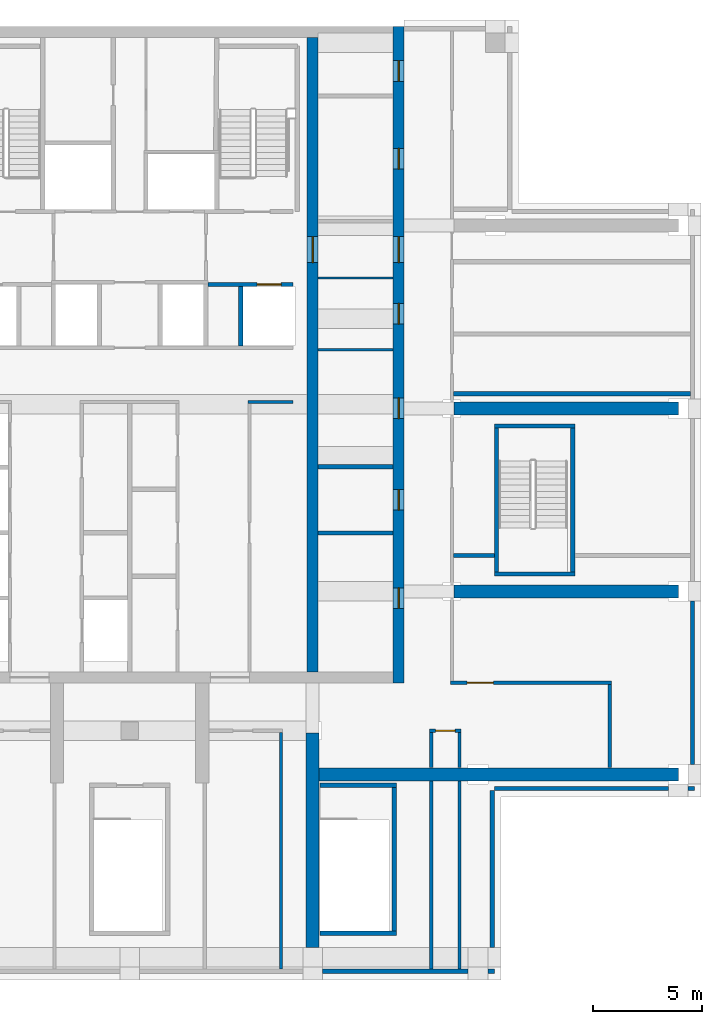
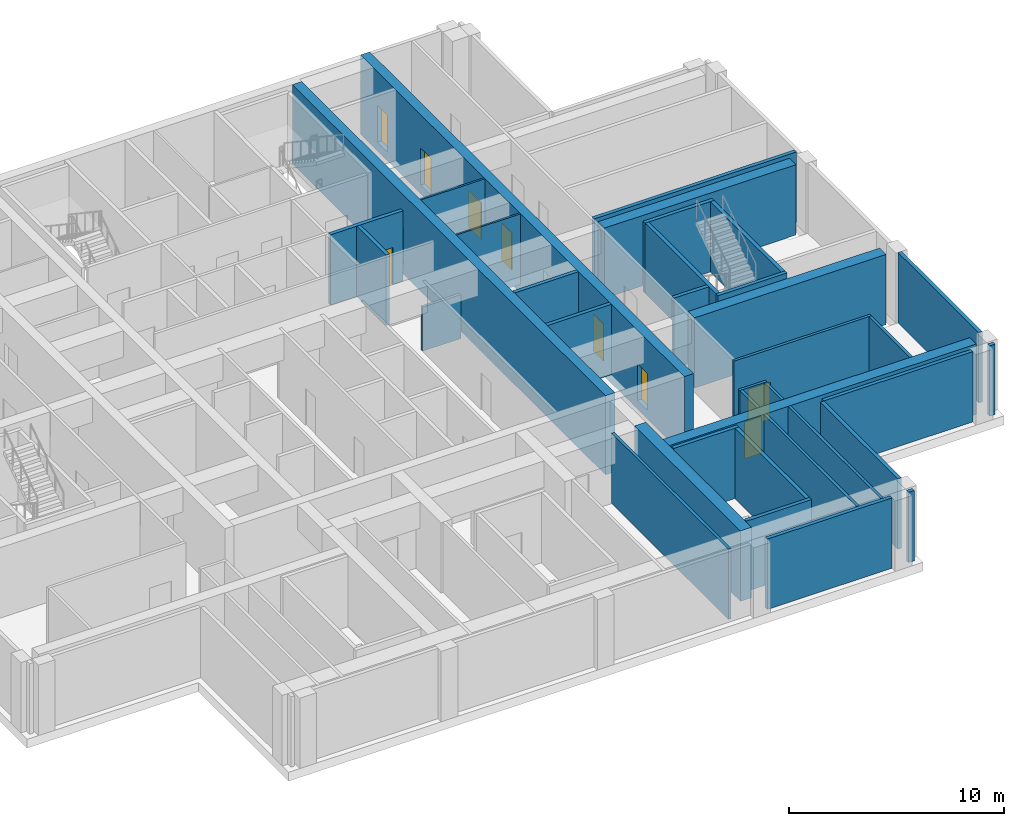
# One storey, part 4 of 11: 36 walls, 11 doors, 11 openings.
"""IFC4 building model written with IfcOpenShell, lengths in metres."""

from ifc_helpers import new_model, si_unit, direction, frame, frame_2d, origin, place, context, subcontext, project, spatial, rectangle, extrude, material, layer, layer_set, type_object, element, fill, save


model = new_model("IFC4")

# Units and contexts
model_context = context("Model", 3, precision=1e-05, world=origin(), true_north=direction((0.0, 1.0)))
body_context = subcontext(model_context, "Body", "Model", "MODEL_VIEW")
ifc_project = project(units=[si_unit("LENGTHUNIT", "METRE"), si_unit("AREAUNIT", "SQUARE_METRE"), si_unit("VOLUMEUNIT", "CUBIC_METRE"), si_unit("PLANEANGLEUNIT", "RADIAN"), si_unit("MASSUNIT", "GRAM", prefix="KILO")], contexts=[model_context])

# Site, building, storey
site_placement = place(None, origin())
site = spatial("IfcSite", under=ifc_project, at=site_placement, CompositionType="ELEMENT")
building_placement = place(site_placement, origin())
building = spatial("IfcBuilding", under=site, at=building_placement, Name="Vermilion Ogive Tower", CompositionType="ELEMENT")
storey_placement = place(building_placement, frame((0.0, 0.0, 264.85009765625)))
storey = spatial("IfcBuildingStorey", under=building, at=storey_placement, Name="L70", CompositionType="ELEMENT", Elevation=264.85009765625)

# Wall, openings, doors
ifc_material_1 = material(Name="Concrete B60", Category="concrete")
ifc_layer_1 = layer(ifc_material_1, 0.5)
ifc_layer_set_1 = layer_set([ifc_layer_1], Name="Core wall 500 B60")
wall_type_1 = type_object("IfcWallType", Name="Core wall 500 B60", PredefinedType="SHEAR", material=ifc_layer_set_1)
wall_1_placement = place(storey_placement, frame((12.35009765625, -8.39990234375, -0.5), z_axis=(0.0, 0.0, 1.0), x_axis=(0.0, 1.0, 0.0)))
wall_1 = element("IfcWall", 1, at=wall_1_placement, inside=storey, type_object=wall_type_1, Name="L70-CORE-E", PredefinedType="SHEAR", context=body_context, shape_type="SweptSolid", body=[
    extrude(rectangle(XDim=30.14990234375, YDim=0.5, at=frame_2d((15.074951171875, 0.0))), origin(), (0.0, 0.0, 1.0), 4.5),
])
opening_1_placement = place(wall_1_placement, frame((3.415771484375, 0.0, 0.5)))
opening_1 = element("IfcOpeningElement", 2, at=opening_1_placement, cuts=wall_1, Name="Opening DAS007", PredefinedType="OPENING", context=body_context, shape_type="SweptSolid", body=[
    extrude(rectangle(XDim=0.949951171875, YDim=2.10009765625, at=frame_2d((0.47509765625, 1.050048828125))), frame((0.0, 0.260009765625, 0.0), z_axis=(0.0, -1.0, 0.0), x_axis=(1.0, 0.0, 0.0)), (0.0, 0.0, 1.0), 0.52001953125),
])
opening_2_placement = place(wall_1_placement, frame((7.93212890625, 0.0, 0.5)))
opening_2 = element("IfcOpeningElement", 3, at=opening_2_placement, cuts=wall_1, Name="Opening DAS008", PredefinedType="OPENING", context=body_context, shape_type="SweptSolid", body=[
    extrude(rectangle(XDim=0.949951171875, YDim=2.10009765625, at=frame_2d((0.47509765625, 1.050048828125))), frame((0.0, 0.260009765625, 0.0), z_axis=(0.0, -1.0, 0.0), x_axis=(1.0, 0.0, 0.0)), (0.0, 0.0, 1.0), 0.52001953125),
])
opening_3_placement = place(wall_1_placement, frame((12.1435546875, 0.0, 0.5)))
opening_3 = element("IfcOpeningElement", 4, at=opening_3_placement, cuts=wall_1, Name="Opening DAS009", PredefinedType="OPENING", context=body_context, shape_type="SweptSolid", body=[
    extrude(rectangle(XDim=0.949951171875, YDim=2.10009765625, at=frame_2d((0.47509765625, 1.050048828125))), frame((0.0, 0.260009765625, 0.0), z_axis=(0.0, -1.0, 0.0), x_axis=(1.0, 0.0, 0.0)), (0.0, 0.0, 1.0), 0.52001953125),
])
opening_4_placement = place(wall_1_placement, frame((16.47705078125, 0.0, 0.5)))
opening_4 = element("IfcOpeningElement", 5, at=opening_4_placement, cuts=wall_1, Name="Opening DAS010", PredefinedType="OPENING", context=body_context, shape_type="SweptSolid", body=[
    extrude(rectangle(XDim=0.949951171875, YDim=2.10009765625, at=frame_2d((0.47509765625, 1.050048828125))), frame((0.0, 0.260009765625, 0.0), z_axis=(0.0, -1.0, 0.0), x_axis=(1.0, 0.0, 0.0)), (0.0, 0.0, 1.0), 0.52001953125),
])
opening_5_placement = place(wall_1_placement, frame((23.60498046875, 0.0, 0.5)))
opening_5 = element("IfcOpeningElement", 6, at=opening_5_placement, cuts=wall_1, Name="Opening DAS011", PredefinedType="OPENING", context=body_context, shape_type="SweptSolid", body=[
    extrude(rectangle(XDim=0.949951171875, YDim=2.10009765625, at=frame_2d((0.47509765625, 1.050048828125))), frame((0.0, 0.260009765625, 0.0), z_axis=(0.0, -1.0, 0.0), x_axis=(1.0, 0.0, 0.0)), (0.0, 0.0, 1.0), 0.52001953125),
])
opening_6_placement = place(wall_1_placement, frame((27.630126953125, 0.0, 0.5)))
opening_6 = element("IfcOpeningElement", 7, at=opening_6_placement, cuts=wall_1, Name="Opening DAS012", PredefinedType="OPENING", context=body_context, shape_type="SweptSolid", body=[
    extrude(rectangle(XDim=0.949951171875, YDim=2.10009765625, at=frame_2d((0.47509765625, 1.050048828125))), frame((0.0, 0.260009765625, 0.0), z_axis=(0.0, -1.0, 0.0), x_axis=(1.0, 0.0, 0.0)), (0.0, 0.0, 1.0), 0.52001953125),
])
opening_7_placement = place(wall_1_placement, frame((19.300048828125, 0.0, 0.5)))
opening_7 = element("IfcOpeningElement", 8, at=opening_7_placement, cuts=wall_1, Name="Opening DBL003", PredefinedType="OPENING", context=body_context, shape_type="SweptSolid", body=[
    extrude(rectangle(XDim=1.199951171875, YDim=2.10009765625, at=frame_2d((0.60009765625, 1.050048828125))), frame((0.0, 0.260009765625, 0.0), z_axis=(0.0, -1.0, 0.0), x_axis=(1.0, 0.0, 0.0)), (0.0, 0.0, 1.0), 0.52001953125),
])
ifc_material_2 = material(Name="Timber door leaf", Category="wood")
door_type_1 = type_object("IfcDoorType", Name="Link door 1200 x 2100 FD60S", OperationType="SINGLE_SWING_LEFT", PredefinedType="DOOR", material=ifc_material_2)
door_1_placement = place(opening_7_placement, origin())
door_1 = element("IfcDoor", 9, at=door_1_placement, inside=storey, type_object=door_type_1, Name="L70-CKE-XL", OperationType="SINGLE_SWING_LEFT", OverallHeight=2.10009765625, OverallWidth=1.199951171875, PredefinedType="DOOR", context=body_context, shape_type="SweptSolid", body=[
    extrude(rectangle(XDim=1.199951171875, YDim=2.10009765625, at=frame_2d((0.60009765625, 1.050048828125))), frame((0.0, 0.02490234375, 0.0), z_axis=(0.0, -1.0, 0.0), x_axis=(1.0, 0.0, 0.0)), (0.0, 0.0, 1.0), 0.050048828125),
])
fill(opening_7, door_1)
ifc_material_3 = material(Name="Timber door leaf", Category="wood")
door_type_2 = type_object("IfcDoorType", Name="Service door 950 x 2100 FD60", OperationType="SINGLE_SWING_LEFT", PredefinedType="DOOR", material=ifc_material_3)
door_2_placement = place(opening_1_placement, origin())
door_2 = element("IfcDoor", 10, at=door_2_placement, inside=storey, type_object=door_type_2, Name="L70-CKE-XR0", OperationType="SINGLE_SWING_LEFT", OverallHeight=2.10009765625, OverallWidth=0.949951171875, PredefinedType="DOOR", context=body_context, shape_type="SweptSolid", body=[
    extrude(rectangle(XDim=0.949951171875, YDim=2.10009765625, at=frame_2d((0.47509765625, 1.050048828125))), frame((0.0, 0.02490234375, 0.0), z_axis=(0.0, -1.0, 0.0), x_axis=(1.0, 0.0, 0.0)), (0.0, 0.0, 1.0), 0.050048828125),
])
fill(opening_1, door_2)
door_3_placement = place(opening_2_placement, origin())
door_3 = element("IfcDoor", 11, at=door_3_placement, inside=storey, type_object=door_type_2, Name="L70-CKE-XR1", OperationType="SINGLE_SWING_LEFT", OverallHeight=2.10009765625, OverallWidth=0.949951171875, PredefinedType="DOOR", context=body_context, shape_type="SweptSolid", body=[
    extrude(rectangle(XDim=0.949951171875, YDim=2.10009765625, at=frame_2d((0.47509765625, 1.050048828125))), frame((0.0, 0.02490234375, 0.0), z_axis=(0.0, -1.0, 0.0), x_axis=(1.0, 0.0, 0.0)), (0.0, 0.0, 1.0), 0.050048828125),
])
fill(opening_2, door_3)
door_4_placement = place(opening_3_placement, origin())
door_4 = element("IfcDoor", 12, at=door_4_placement, inside=storey, type_object=door_type_2, Name="L70-CKE-XR2", OperationType="SINGLE_SWING_LEFT", OverallHeight=2.10009765625, OverallWidth=0.949951171875, PredefinedType="DOOR", context=body_context, shape_type="SweptSolid", body=[
    extrude(rectangle(XDim=0.949951171875, YDim=2.10009765625, at=frame_2d((0.47509765625, 1.050048828125))), frame((0.0, 0.02490234375, 0.0), z_axis=(0.0, -1.0, 0.0), x_axis=(1.0, 0.0, 0.0)), (0.0, 0.0, 1.0), 0.050048828125),
])
fill(opening_3, door_4)
door_5_placement = place(opening_4_placement, origin())
door_5 = element("IfcDoor", 13, at=door_5_placement, inside=storey, type_object=door_type_2, Name="L70-CKE-XR3", OperationType="SINGLE_SWING_LEFT", OverallHeight=2.10009765625, OverallWidth=0.949951171875, PredefinedType="DOOR", context=body_context, shape_type="SweptSolid", body=[
    extrude(rectangle(XDim=0.949951171875, YDim=2.10009765625, at=frame_2d((0.47509765625, 1.050048828125))), frame((0.0, 0.02490234375, 0.0), z_axis=(0.0, -1.0, 0.0), x_axis=(1.0, 0.0, 0.0)), (0.0, 0.0, 1.0), 0.050048828125),
])
fill(opening_4, door_5)
door_6_placement = place(opening_5_placement, origin())
door_6 = element("IfcDoor", 14, at=door_6_placement, inside=storey, type_object=door_type_2, Name="L70-CKE-XR4", OperationType="SINGLE_SWING_LEFT", OverallHeight=2.10009765625, OverallWidth=0.949951171875, PredefinedType="DOOR", context=body_context, shape_type="SweptSolid", body=[
    extrude(rectangle(XDim=0.949951171875, YDim=2.10009765625, at=frame_2d((0.47509765625, 1.050048828125))), frame((0.0, 0.02490234375, 0.0), z_axis=(0.0, -1.0, 0.0), x_axis=(1.0, 0.0, 0.0)), (0.0, 0.0, 1.0), 0.050048828125),
])
fill(opening_5, door_6)
door_7_placement = place(opening_6_placement, origin())
door_7 = element("IfcDoor", 15, at=door_7_placement, inside=storey, type_object=door_type_2, Name="L70-CKE-XR5", OperationType="SINGLE_SWING_LEFT", OverallHeight=2.10009765625, OverallWidth=0.949951171875, PredefinedType="DOOR", context=body_context, shape_type="SweptSolid", body=[
    extrude(rectangle(XDim=0.949951171875, YDim=2.10009765625, at=frame_2d((0.47509765625, 1.050048828125))), frame((0.0, 0.02490234375, 0.0), z_axis=(0.0, -1.0, 0.0), x_axis=(1.0, 0.0, 0.0)), (0.0, 0.0, 1.0), 0.050048828125),
])
fill(opening_6, door_7)

# Wall, opening, door
wall_2_placement = place(storey_placement, frame((8.39990234375, -7.89990234375, -0.5), z_axis=(0.0, 0.0, 1.0), x_axis=(0.0, 1.0, 0.0)))
wall_2 = element("IfcWall", 16, at=wall_2_placement, inside=storey, type_object=wall_type_1, Name="L70-CORE-WEB2", PredefinedType="SHEAR", context=body_context, shape_type="SweptSolid", body=[
    extrude(rectangle(XDim=29.14990234375, YDim=0.5, at=frame_2d((14.574951171875, 0.0))), origin(), (0.0, 0.0, 1.0), 4.5),
])
opening_8_placement = place(wall_2_placement, frame((18.800048828125, 0.0, 0.5)))
opening_8 = element("IfcOpeningElement", 17, at=opening_8_placement, cuts=wall_2, Name="Opening DBR002", PredefinedType="OPENING", context=body_context, shape_type="SweptSolid", body=[
    extrude(rectangle(XDim=1.199951171875, YDim=2.10009765625, at=frame_2d((0.60009765625, 1.050048828125))), frame((0.0, 0.260009765625, 0.0), z_axis=(0.0, -1.0, 0.0), x_axis=(1.0, 0.0, 0.0)), (0.0, 0.0, 1.0), 0.52001953125),
])
door_8_placement = place(opening_8_placement, origin())
door_8 = element("IfcDoor", 18, at=door_8_placement, inside=storey, type_object=door_type_1, Name="L70-CKE-XW", OperationType="SINGLE_SWING_LEFT", OverallHeight=2.10009765625, OverallWidth=1.199951171875, PredefinedType="DOOR", context=body_context, shape_type="SweptSolid", body=[
    extrude(rectangle(XDim=1.199951171875, YDim=2.10009765625, at=frame_2d((0.60009765625, 1.050048828125))), frame((0.0, 0.02490234375, 0.0), z_axis=(0.0, -1.0, 0.0), x_axis=(1.0, 0.0, 0.0)), (0.0, 0.0, 1.0), 0.050048828125),
])
fill(opening_8, door_8)

# Walls
ifc_material_4 = material(Name="Concrete B60", Category="concrete")
ifc_layer_2 = layer(ifc_material_4, 0.60009765625)
ifc_layer_set_2 = layer_set([ifc_layer_2], Name="Outrigger wall 600 B60")
wall_type_2 = type_object("IfcWallType", Name="Outrigger wall 600 B60", PredefinedType="SHEAR", material=ifc_layer_set_2)
wall_3_placement = place(storey_placement, frame((8.550048828125, -12.60009765625, 0.0), z_axis=(0.0, 0.0, 1.0), x_axis=(1.0, 0.0, 0.0)))
element("IfcWall", 19, at=wall_3_placement, inside=storey, type_object=wall_type_2, Name="L70-OW-EWE-12.6", PredefinedType="SHEAR", context=body_context, shape_type="SweptSolid", body=[
    extrude(rectangle(XDim=16.64990234375, YDim=0.60009765625, at=frame_2d((8.324951171875, 0.0))), origin(), (0.0, 0.0, 1.0), 4.0),
])
for number, where, z_axis, x_axis, name in (
    (20, (14.89990234375, -4.199951171875, 0.0), (0.0, 0.0, 1.0), (1.0, 0.0, 0.0), "L70-OW-EWE-4.2"),
    (21, (14.89990234375, 4.199951171875, 0.0), (0.0, 0.0, 1.0), (1.0, 0.0, 0.0), "L70-OW-EWE+4.2"),
):
    element("IfcWall", number, at=place(storey_placement, frame(where, z_axis=z_axis, x_axis=x_axis)), inside=storey, type_object=wall_type_2, Name=name, PredefinedType="SHEAR", context=body_context, shape_type="SweptSolid", body=[
        extrude(rectangle(XDim=10.300048828125, YDim=0.60009765625, at=frame_2d((5.14990234375, 0.0))), origin(), (0.0, 0.0, 1.0), 4.0),
    ])
wall_4_placement = place(storey_placement, frame((8.39990234375, -10.699951171875, 0.0), z_axis=(0.0, 0.0, 1.0), x_axis=(0.0, -1.0, 0.0)))
element("IfcWall", 22, at=wall_4_placement, inside=storey, type_object=wall_type_2, Name="L70-OW-NS+8.4", PredefinedType="SHEAR", context=body_context, shape_type="SweptSolid", body=[
    extrude(rectangle(XDim=9.85009765625, YDim=0.60009765625, at=frame_2d((4.925048828125, 0.0))), origin(), (0.0, 0.0, 1.0), 4.0),
])
ifc_material_5 = material(Name="Gypsum board partition on steel studs", Category="steel")
ifc_layer_3 = layer(ifc_material_5, 0.10009765625)
ifc_layer_set_3 = layer_set([ifc_layer_3], Name="Partition 100 bath")
wall_type_3 = type_object("IfcWallType", Name="Partition 100 bath", PredefinedType="PARTITIONING", material=ifc_layer_set_3)
for number, where, z_axis, x_axis, name in (
    (23, (8.65087890625, 6.904052734375, 0.0), (0.0, 0.0, 1.0), (1.0, 0.0, 0.0), "L70-CKE-W-W003"),
    (24, (8.65087890625, 10.199951171875, 0.0), (0.0, 0.0, 1.0), (1.0, 0.0, 0.0), "L70-CKE-W-W004"),
):
    element("IfcWall", number, at=place(storey_placement, frame(where, z_axis=z_axis, x_axis=x_axis)), inside=storey, type_object=wall_type_3, Name=name, PredefinedType="PARTITIONING", context=body_context, shape_type="SweptSolid", body=[
        extrude(rectangle(XDim=3.4482421875, YDim=0.10009765625, at=frame_2d((1.72412109375, 0.0))), origin(), (0.0, 0.0, 1.0), 4.0),
    ])

# Wall, opening, door
ifc_material_6 = material(Name="Gypsum board partition on steel studs", Category="steel")
ifc_layer_4 = layer(ifc_material_6, 0.14990234375)
ifc_layer_set_4 = layer_set([ifc_layer_4], Name="Partition 150 corridor")
wall_type_4 = type_object("IfcWallType", Name="Partition 150 corridor", PredefinedType="PARTITIONING", material=ifc_layer_set_4)
wall_5_placement = place(storey_placement, frame((13.77490234375, -10.60009765625, 0.0), z_axis=(0.0, 0.0, 1.0), x_axis=(1.0, 0.0, 0.0)))
wall_5 = element("IfcWall", 25, at=wall_5_placement, inside=storey, type_object=wall_type_4, Name="L70-FS-W-W004", PredefinedType="PARTITIONING", context=body_context, shape_type="SweptSolid", body=[
    extrude(rectangle(XDim=1.4501953125, YDim=0.14990234375, at=frame_2d((0.72509765625, 0.0))), origin(), (0.0, 0.0, 1.0), 4.0),
])
opening_9_placement = place(wall_5_placement, frame((0.275146484375, 0.0, 0.0)))
opening_9 = element("IfcOpeningElement", 26, at=opening_9_placement, cuts=wall_5, Name="Opening L70S014", PredefinedType="OPENING", context=body_context, shape_type="SweptSolid", body=[
    extrude(rectangle(XDim=0.89990234375, YDim=2.10009765625, at=frame_2d((0.449951171875, 1.050048828125))), frame((0.0, 0.0849609375, 0.0), z_axis=(0.0, -1.0, 0.0), x_axis=(1.0, 0.0, 0.0)), (0.0, 0.0, 1.0), 0.169921875),
])
ifc_material_7 = material(Name="Timber door leaf", Category="wood")
door_type_3 = type_object("IfcDoorType", Name="Room door 900 x 2100 FD30", OperationType="SINGLE_SWING_LEFT", PredefinedType="DOOR", material=ifc_material_7)
door_9_placement = place(opening_9_placement, origin())
door_9 = element("IfcDoor", 27, at=door_9_placement, inside=storey, type_object=door_type_3, Name="L70-FS-D-D014", OperationType="SINGLE_SWING_RIGHT", OverallHeight=2.10009765625, OverallWidth=0.89990234375, PredefinedType="DOOR", context=body_context, shape_type="SweptSolid", body=[
    extrude(rectangle(XDim=0.89990234375, YDim=2.10009765625, at=frame_2d((0.449951171875, 1.050048828125))), frame((0.0, 0.02490234375, 0.0), z_axis=(0.0, -1.0, 0.0), x_axis=(1.0, 0.0, 0.0)), (0.0, 0.0, 1.0), 0.050048828125),
])
fill(opening_9, door_9)

wall_6_placement = place(storey_placement, frame((14.72509765625, -8.39990234375, 0.0), z_axis=(0.0, 0.0, 1.0), x_axis=(1.0, 0.0, 0.0)))
wall_6 = element("IfcWall", 28, at=wall_6_placement, inside=storey, type_object=wall_type_4, Name="L70-FS-W-W006", PredefinedType="PARTITIONING", context=body_context, shape_type="SweptSolid", body=[
    extrude(rectangle(XDim=7.39990234375, YDim=0.14990234375, at=frame_2d((3.699951171875, 0.0))), origin(), (0.0, 0.0, 1.0), 4.0),
])
opening_10_placement = place(wall_6_placement, frame((0.77490234375, 0.0, 0.0)))
opening_10 = element("IfcOpeningElement", 29, at=opening_10_placement, cuts=wall_6, Name="Opening L70S002", PredefinedType="OPENING", context=body_context, shape_type="SweptSolid", body=[
    extrude(rectangle(XDim=1.199951171875, YDim=2.10009765625, at=frame_2d((0.60009765625, 1.050048828125))), frame((0.0, 0.0849609375, 0.0), z_axis=(0.0, -1.0, 0.0), x_axis=(1.0, 0.0, 0.0)), (0.0, 0.0, 1.0), 0.169921875),
])
ifc_material_8 = material(Name="Timber door leaf", Category="wood")
door_type_4 = type_object("IfcDoorType", Name="Fire door 1200 x 2100 FD30", OperationType="SINGLE_SWING_LEFT", PredefinedType="DOOR", material=ifc_material_8)
door_10_placement = place(opening_10_placement, origin())
door_10 = element("IfcDoor", 30, at=door_10_placement, inside=storey, type_object=door_type_4, Name="L70-FS-D-D002", OperationType="SINGLE_SWING_LEFT", OverallHeight=2.10009765625, OverallWidth=1.199951171875, PredefinedType="DOOR", context=body_context, shape_type="SweptSolid", body=[
    extrude(rectangle(XDim=1.199951171875, YDim=2.10009765625, at=frame_2d((0.60009765625, 1.050048828125))), frame((0.0, 0.02490234375, 0.0), z_axis=(0.0, -1.0, 0.0), x_axis=(1.0, 0.0, 0.0)), (0.0, 0.0, 1.0), 0.050048828125),
])
fill(opening_10, door_10)

# Walls
wall_7_placement = place(storey_placement, frame((6.949951171875, -21.550048828125, 0.0), z_axis=(0.0, 0.0, 1.0), x_axis=(0.0, 1.0, 0.0)))
element("IfcWall", 31, at=wall_7_placement, inside=storey, type_object=wall_type_4, Name="L70-FS-W-W025", PredefinedType="PARTITIONING", context=body_context, shape_type="SweptSolid", body=[
    extrude(rectangle(XDim=10.875, YDim=0.14990234375, at=frame_2d((5.4375, 0.0))), origin(), (0.0, 0.0, 1.0), 4.0),
])
wall_8_placement = place(storey_placement, frame((13.85009765625, -21.550048828125, 0.0), z_axis=(0.0, 0.0, 1.0), x_axis=(0.0, 1.0, 0.0)))
element("IfcWall", 32, at=wall_8_placement, inside=storey, type_object=wall_type_4, Name="L70-FS-W-W026a", PredefinedType="PARTITIONING", context=body_context, shape_type="SweptSolid", body=[
    extrude(rectangle(XDim=8.649169921875, YDim=0.14990234375, at=frame_2d((4.32470703125, 0.0))), origin(), (0.0, 0.0, 1.0), 4.0),
])
wall_9_placement = place(storey_placement, frame((13.85009765625, -12.299072265625, 0.0), z_axis=(0.0, 0.0, 1.0), x_axis=(0.0, 1.0, 0.0)))
element("IfcWall", 33, at=wall_9_placement, inside=storey, type_object=wall_type_4, Name="L70-FS-W-W026b", PredefinedType="PARTITIONING", context=body_context, shape_type="SweptSolid", body=[
    extrude(rectangle(XDim=1.6240234375, YDim=0.14990234375, at=frame_2d((0.81201171875, 0.0))), origin(), (0.0, 0.0, 1.0), 4.0),
])
wall_10_placement = place(storey_placement, frame((15.14990234375, -21.550048828125, 0.0), z_axis=(0.0, 0.0, 1.0), x_axis=(0.0, 1.0, 0.0)))
element("IfcWall", 34, at=wall_10_placement, inside=storey, type_object=wall_type_4, Name="L70-FS-W-W028a", PredefinedType="PARTITIONING", context=body_context, shape_type="SweptSolid", body=[
    extrude(rectangle(XDim=8.649169921875, YDim=0.14990234375, at=frame_2d((4.32470703125, 0.0))), origin(), (0.0, 0.0, 1.0), 4.0),
])
wall_11_placement = place(storey_placement, frame((15.14990234375, -12.299072265625, 0.0), z_axis=(0.0, 0.0, 1.0), x_axis=(0.0, 1.0, 0.0)))
element("IfcWall", 35, at=wall_11_placement, inside=storey, type_object=wall_type_4, Name="L70-FS-W-W028b", PredefinedType="PARTITIONING", context=body_context, shape_type="SweptSolid", body=[
    extrude(rectangle(XDim=1.6240234375, YDim=0.14990234375, at=frame_2d((0.81201171875, 0.0))), origin(), (0.0, 0.0, 1.0), 4.0),
])
wall_12_placement = place(storey_placement, frame((22.050048828125, -12.299072265625, 0.0), z_axis=(0.0, 0.0, 1.0), x_axis=(0.0, 1.0, 0.0)))
element("IfcWall", 36, at=wall_12_placement, inside=storey, type_object=wall_type_4, Name="L70-FS-W-W029", PredefinedType="PARTITIONING", context=body_context, shape_type="SweptSolid", body=[
    extrude(rectangle(XDim=3.823974609375, YDim=0.14990234375, at=frame_2d((1.912109375, 0.0))), origin(), (0.0, 0.0, 1.0), 4.0),
])
wall_13_placement = place(storey_placement, frame((5.425048828125, 4.5, 0.0), z_axis=(0.0, 0.0, 1.0), x_axis=(1.0, 0.0, 0.0)))
element("IfcWall", 37, at=wall_13_placement, inside=storey, type_object=wall_type_4, Name="L70-CK-W-W010", PredefinedType="PARTITIONING", context=body_context, shape_type="SweptSolid", body=[
    extrude(rectangle(XDim=2.074951171875, YDim=0.14990234375, at=frame_2d((1.03759765625, 0.0))), origin(), (0.0, 0.0, 1.0), 2.5),
])
ifc_material_9 = material(Name="Gypsum board partition on steel studs", Category="steel")
ifc_layer_5 = layer(ifc_material_9, 0.199951171875)
ifc_layer_set_5 = layer_set([ifc_layer_5], Name="Partition 200 party")
wall_type_5 = type_object("IfcWallType", Name="Partition 200 party", PredefinedType="PARTITIONING", material=ifc_layer_set_5)
wall_14_placement = place(storey_placement, frame((14.875, -2.550048828125, 0.0), z_axis=(0.0, 0.0, 1.0), x_axis=(1.0, 0.0, 0.0)))
element("IfcWall", 38, at=wall_14_placement, inside=storey, type_object=wall_type_5, Name="L70-FS-W-W009", PredefinedType="PARTITIONING", context=body_context, shape_type="SweptSolid", body=[
    extrude(rectangle(XDim=1.875, YDim=0.199951171875, at=frame_2d((0.9375, 0.0))), origin(), (0.0, 0.0, 1.0), 4.0),
])
wall_15_placement = place(storey_placement, frame((14.875, 4.885009765625, 0.0), z_axis=(0.0, 0.0, 1.0), x_axis=(1.0, 0.0, 0.0)))
element("IfcWall", 39, at=wall_15_placement, inside=storey, type_object=wall_type_5, Name="L70-FS-W-W012", PredefinedType="PARTITIONING", context=body_context, shape_type="SweptSolid", body=[
    extrude(rectangle(XDim=10.875, YDim=0.199951171875, at=frame_2d((5.4375, 0.0))), origin(), (0.0, 0.0, 1.0), 4.0),
])

# Wall, opening, door
wall_16_placement = place(storey_placement, frame((3.60009765625, 9.89990234375, 0.0), z_axis=(0.0, 0.0, 1.0), x_axis=(1.0, 0.0, 0.0)))
wall_16 = element("IfcWall", 40, at=wall_16_placement, inside=storey, type_object=wall_type_5, Name="L70-CK-W-W013", PredefinedType="PARTITIONING", context=body_context, shape_type="SweptSolid", body=[
    extrude(rectangle(XDim=3.89990234375, YDim=0.199951171875, at=frame_2d((1.949951171875, 0.0))), origin(), (0.0, 0.0, 1.0), 4.0),
])
opening_11_placement = place(wall_16_placement, frame((2.25, 0.0, 0.0)))
opening_11 = element("IfcOpeningElement", 41, at=opening_11_placement, cuts=wall_16, Name="Opening DAF067", PredefinedType="OPENING", context=body_context, shape_type="SweptSolid", body=[
    extrude(rectangle(XDim=1.10009765625, YDim=2.10009765625, at=frame_2d((0.550048828125, 1.050048828125))), frame((0.0, 0.10986328125, 0.0), z_axis=(0.0, -1.0, 0.0), x_axis=(1.0, 0.0, 0.0)), (0.0, 0.0, 1.0), 0.219970703125),
])
ifc_material_10 = material(Name="Stainless steel", Category="steel")
door_type_5 = type_object("IfcDoorType", Name="Lift landing door 1100 x 2100", OperationType="SLIDING_TO_LEFT", PredefinedType="DOOR", material=ifc_material_10)
door_11_placement = place(opening_11_placement, origin())
door_11 = element("IfcDoor", 42, at=door_11_placement, inside=storey, type_object=door_type_5, Name="L70-CK-D-D015", OperationType="SLIDING_TO_LEFT", OverallHeight=2.10009765625, OverallWidth=1.10009765625, PredefinedType="DOOR", context=body_context, shape_type="SweptSolid", body=[
    extrude(rectangle(XDim=1.10009765625, YDim=2.10009765625, at=frame_2d((0.550048828125, 1.050048828125))), frame((0.0, 0.02490234375, 0.0), z_axis=(0.0, -1.0, 0.0), x_axis=(1.0, 0.0, 0.0)), (0.0, 0.0, 1.0), 0.050048828125),
])
fill(opening_11, door_11)

# Walls
wall_17_placement = place(storey_placement, frame((5.10009765625, 7.074951171875, 0.0), z_axis=(0.0, 0.0, 1.0), x_axis=(0.0, 1.0, 0.0)))
element("IfcWall", 43, at=wall_17_placement, inside=storey, type_object=wall_type_5, Name="L70-CK-W-W037", PredefinedType="PARTITIONING", context=body_context, shape_type="SweptSolid", body=[
    extrude(rectangle(XDim=2.72509765625, YDim=0.199951171875, at=frame_2d((1.362548828125, 0.0))), origin(), (0.0, 0.0, 1.0), 4.0),
])
for number, where, z_axis, x_axis, name in (
    (44, (8.65087890625, -1.51904296875, 0.0), (0.0, 0.0, 1.0), (1.0, 0.0, 0.0), "L70-CKE-W-W001"),
    (45, (8.65087890625, 1.532958984375, 0.0), (0.0, 0.0, 1.0), (1.0, 0.0, 0.0), "L70-CKE-W-W002"),
):
    element("IfcWall", number, at=place(storey_placement, frame(where, z_axis=z_axis, x_axis=x_axis)), inside=storey, type_object=wall_type_5, Name=name, PredefinedType="PARTITIONING", context=body_context, shape_type="SweptSolid", body=[
        extrude(rectangle(XDim=3.4482421875, YDim=0.199951171875, at=frame_2d((1.72412109375, 0.0))), origin(), (0.0, 0.0, 1.0), 4.0),
    ])
ifc_material_11 = material(Name="Aluminium louvre panels", Category="aluminium")
ifc_layer_6 = layer(ifc_material_11, 0.199951171875)
ifc_layer_set_6 = layer_set([ifc_layer_6], Name="Plant louvre wall")
wall_type_6 = type_object("IfcWallType", Name="Plant louvre wall", PredefinedType="STANDARD", material=ifc_layer_set_6)
wall_18_placement = place(storey_placement, frame((8.85009765625, -21.64990234375, 0.0), z_axis=(0.0, 0.0, 1.0), x_axis=(1.0, 0.0, 0.0)))
element("IfcWall", 46, at=wall_18_placement, inside=storey, type_object=wall_type_6, Name="Window wall S4", PredefinedType="STANDARD", context=body_context, shape_type="SweptSolid", body=[
    extrude(rectangle(XDim=6.699951171875, YDim=0.199951171875, at=frame_2d((3.35009765625, 0.0))), origin(), (0.0, 0.0, 1.0), 4.0),
])
wall_19_placement = place(storey_placement, frame((16.449951171875, -21.64990234375, 0.0), z_axis=(0.0, 0.0, 1.0), x_axis=(1.0, 0.0, 0.0)))
element("IfcWall", 47, at=wall_19_placement, inside=storey, type_object=wall_type_6, Name="Window wall S5", PredefinedType="STANDARD", context=body_context, shape_type="SweptSolid", body=[
    extrude(rectangle(XDim=0.300048828125, YDim=0.199951171875, at=frame_2d((0.14990234375, 0.0))), origin(), (0.0, 0.0, 1.0), 4.0),
])
wall_20_placement = place(storey_placement, frame((16.64990234375, -20.550048828125, 0.0), z_axis=(0.0, 0.0, 1.0), x_axis=(0.0, 1.0, 0.0)))
element("IfcWall", 48, at=wall_20_placement, inside=storey, type_object=wall_type_6, Name="Window wall X11", PredefinedType="STANDARD", context=body_context, shape_type="SweptSolid", body=[
    extrude(rectangle(XDim=7.199951171875, YDim=0.199951171875, at=frame_2d((3.60009765625, 0.0))), origin(), (0.0, 0.0, 1.0), 4.0),
])
wall_21_placement = place(storey_placement, frame((16.75, -13.25, 0.0), z_axis=(0.0, 0.0, 1.0), x_axis=(1.0, 0.0, 0.0)))
element("IfcWall", 49, at=wall_21_placement, inside=storey, type_object=wall_type_6, Name="Window wall X21", PredefinedType="STANDARD", context=body_context, shape_type="SweptSolid", body=[
    extrude(rectangle(XDim=8.0, YDim=0.199951171875, at=frame_2d((4.0, 0.0))), origin(), (0.0, 0.0, 1.0), 4.0),
])
wall_22_placement = place(storey_placement, frame((25.64990234375, -13.25, 0.0), z_axis=(0.0, 0.0, 1.0), x_axis=(1.0, 0.0, 0.0)))
element("IfcWall", 50, at=wall_22_placement, inside=storey, type_object=wall_type_6, Name="Window wall X22", PredefinedType="STANDARD", context=body_context, shape_type="SweptSolid", body=[
    extrude(rectangle(XDim=0.300048828125, YDim=0.199951171875, at=frame_2d((0.14990234375, 0.0))), origin(), (0.0, 0.0, 1.0), 4.0),
])
wall_23_placement = place(storey_placement, frame((25.85009765625, -12.14990234375, 0.0), z_axis=(0.0, 0.0, 1.0), x_axis=(0.0, 1.0, 0.0)))
element("IfcWall", 51, at=wall_23_placement, inside=storey, type_object=wall_type_6, Name="Window wall E1", PredefinedType="STANDARD", context=body_context, shape_type="SweptSolid", body=[
    extrude(rectangle(XDim=7.5, YDim=0.199951171875, at=frame_2d((3.75, 0.0))), origin(), (0.0, 0.0, 1.0), 4.0),
])
ifc_material_12 = material(Name="Concrete B60", Category="concrete")
ifc_layer_7 = layer(ifc_material_12, 0.199951171875)
ifc_layer_set_7 = layer_set([ifc_layer_7], Name="Stair enclosure wall 200 Concrete B60")
wall_type_7 = type_object("IfcWallType", Name="Stair enclosure wall 200 Concrete B60", PredefinedType="PARTITIONING", material=ifc_layer_set_7)
for number, where, z_axis, x_axis, name in (
    (52, (8.75, -19.89990234375, 0.0), (0.0, 0.0, 1.0), (1.0, 0.0, 0.0), "L70-SW-ST5-S1"),
    (53, (8.75, -13.10009765625, 0.0), (0.0, 0.0, 1.0), (1.0, 0.0, 0.0), "L70-SW-ST5-N1"),
):
    element("IfcWall", number, at=place(storey_placement, frame(where, z_axis=z_axis, x_axis=x_axis)), inside=storey, type_object=wall_type_7, Name=name, PredefinedType="PARTITIONING", context=body_context, shape_type="SweptSolid", body=[
        extrude(rectangle(XDim=3.5, YDim=0.199951171875, at=frame_2d((1.75, 0.0))), origin(), (0.0, 0.0, 1.0), 4.0),
    ])
wall_24_placement = place(storey_placement, frame((12.14990234375, -19.800048828125, 0.0), z_axis=(0.0, 0.0, 1.0), x_axis=(0.0, 1.0, 0.0)))
element("IfcWall", 54, at=wall_24_placement, inside=storey, type_object=wall_type_7, Name="L70-SW-ST5-E1", PredefinedType="PARTITIONING", context=body_context, shape_type="SweptSolid", body=[
    extrude(rectangle(XDim=6.60009765625, YDim=0.199951171875, at=frame_2d((3.300048828125, 0.0))), origin(), (0.0, 0.0, 1.0), 4.0),
])
wall_25_placement = place(storey_placement, frame((16.75, 3.39990234375, 0.0), z_axis=(0.0, 0.0, 1.0), x_axis=(1.0, 0.0, 0.0)))
element("IfcWall", 55, at=wall_25_placement, inside=storey, type_object=wall_type_7, Name="L70-SW-ST8-N1", PredefinedType="PARTITIONING", context=body_context, shape_type="SweptSolid", body=[
    extrude(rectangle(XDim=3.699951171875, YDim=0.199951171875, at=frame_2d((1.85009765625, 0.0))), origin(), (0.0, 0.0, 1.0), 4.0),
])
ifc_material_13 = material(Name="Concrete B60", Category="concrete")
ifc_layer_8 = layer(ifc_material_13, 0.199951171875)
ifc_layer_set_8 = layer_set([ifc_layer_8], Name="Stair shaft wall 200 Concrete B60")
wall_type_8 = type_object("IfcWallType", Name="Stair shaft wall 200 Concrete B60", PredefinedType="SOLIDWALL", material=ifc_layer_set_8)
wall_26_placement = place(storey_placement, frame((16.75, -3.39990234375, 0.0), z_axis=(0.0, 0.0, 1.0), x_axis=(1.0, 0.0, 0.0)))
element("IfcWall", 56, at=wall_26_placement, inside=storey, type_object=wall_type_8, Name="L70-SW-ST8-S1", PredefinedType="SOLIDWALL", context=body_context, shape_type="SweptSolid", body=[
    extrude(rectangle(XDim=3.699951171875, YDim=0.199951171875, at=frame_2d((1.85009765625, 0.0))), origin(), (0.0, 0.0, 1.0), 4.0),
])
for number, where, z_axis, x_axis, name in (
    (57, (16.85009765625, -3.300048828125, 0.0), (0.0, 0.0, 1.0), (0.0, 1.0, 0.0), "L70-SW-ST8-W1"),
    (58, (20.35009765625, -3.300048828125, 0.0), (0.0, 0.0, 1.0), (0.0, 1.0, 0.0), "L70-SW-ST8-E1"),
):
    element("IfcWall", number, at=place(storey_placement, frame(where, z_axis=z_axis, x_axis=x_axis)), inside=storey, type_object=wall_type_8, Name=name, PredefinedType="SOLIDWALL", context=body_context, shape_type="SweptSolid", body=[
        extrude(rectangle(XDim=6.60009765625, YDim=0.199951171875, at=frame_2d((3.300048828125, 0.0))), origin(), (0.0, 0.0, 1.0), 4.0),
    ])

save(model, "model.ifc")
